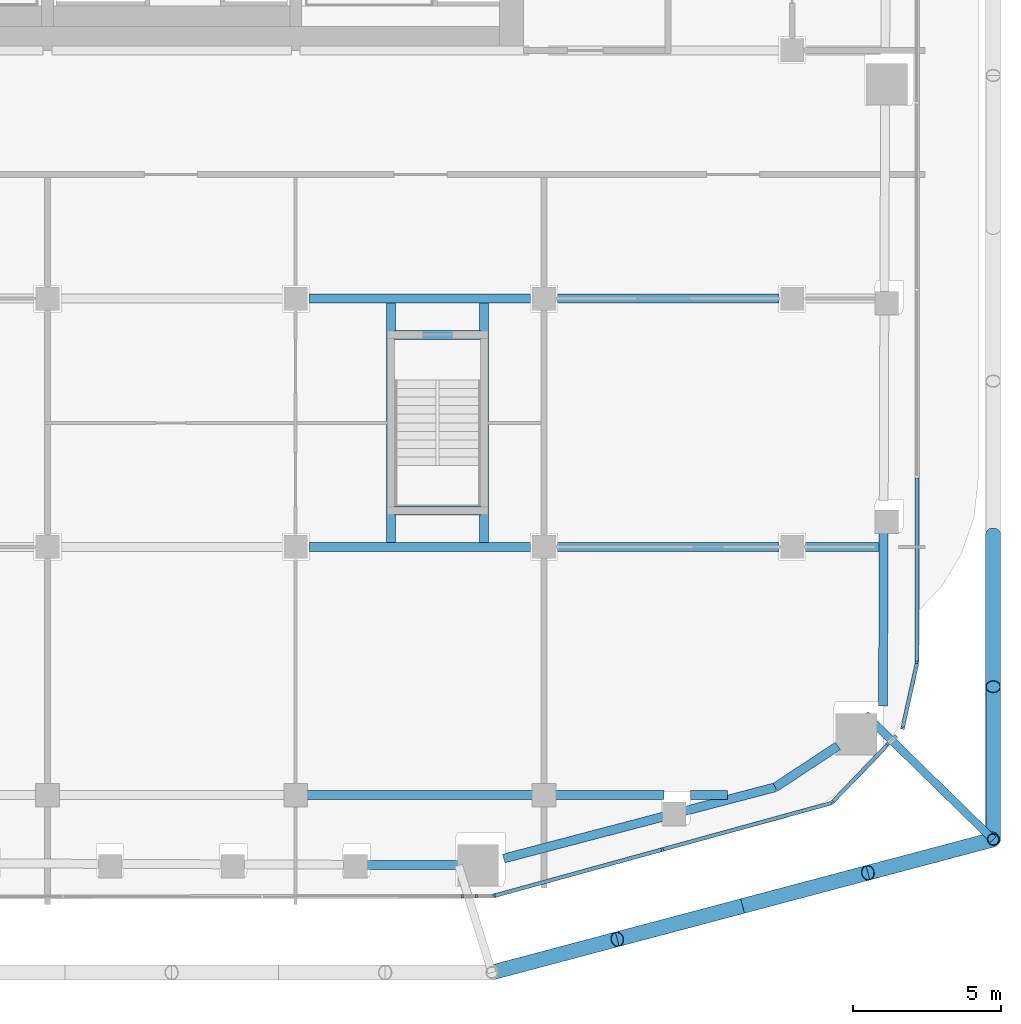
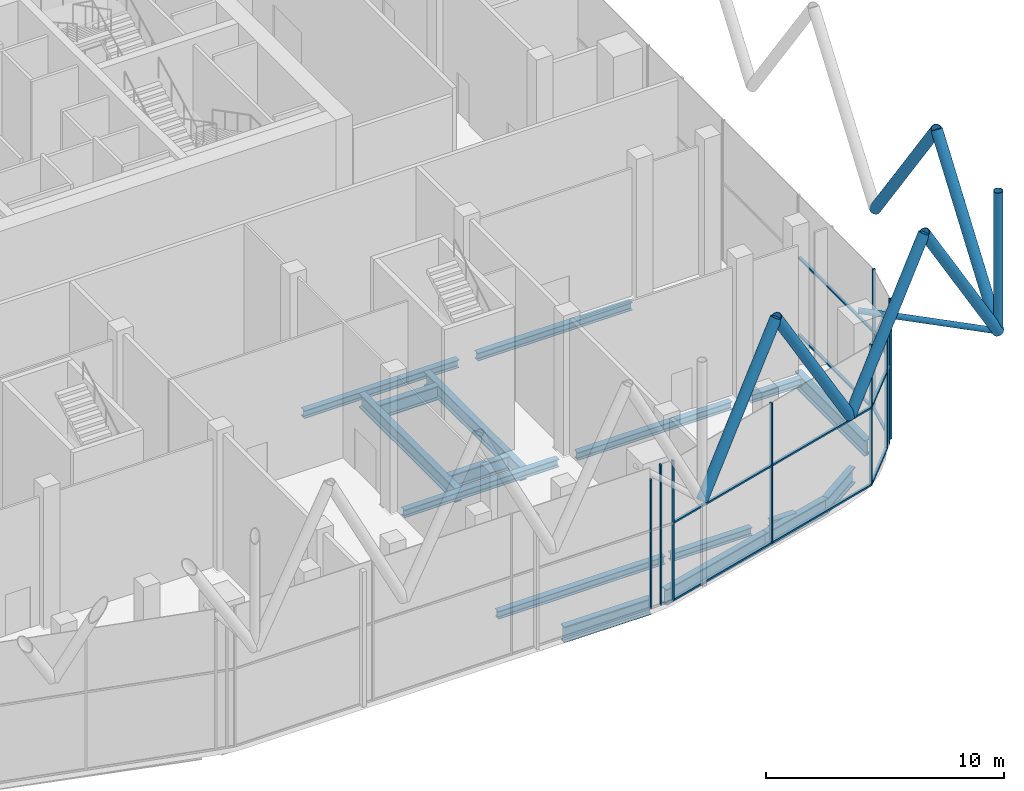
# One storey, part 6 of 25: 27 members, 17 beams, 7 elements without a shape of their own.
"""IFC4 building model written with IfcOpenShell, lengths in metres."""

from ifc_helpers import new_model, si_unit, direction, frame, origin, origin_2d, place, context, subcontext, project, spatial, rectangle, hollow_circle, i_section, extrude, material, layer, layer_set, material_profile, profile_set, type_object, element, aggregate, save


model = new_model("IFC4")

# Units and contexts
model_context = context("Model", 3, precision=1e-05, world=origin(), true_north=direction((0.0, 1.0)))
body_context = subcontext(model_context, "Body", "Model", "MODEL_VIEW")
ifc_project = project(units=[si_unit("LENGTHUNIT", "METRE"), si_unit("AREAUNIT", "SQUARE_METRE"), si_unit("VOLUMEUNIT", "CUBIC_METRE"), si_unit("PLANEANGLEUNIT", "RADIAN"), si_unit("MASSUNIT", "GRAM", prefix="KILO")], contexts=[model_context])

# Site, building, storey
site_placement = place(None, origin())
site = spatial("IfcSite", under=ifc_project, at=site_placement, CompositionType="ELEMENT")
building_placement = place(site_placement, origin())
building = spatial("IfcBuilding", under=site, at=building_placement, Name="Marenta Gate Hotel Tower", CompositionType="ELEMENT")
storey_placement = place(building_placement, frame((0.0, 0.0, 180.5)))
storey = spatial("IfcBuildingStorey", under=building, at=storey_placement, Name="L41", CompositionType="ELEMENT", Elevation=180.5)

# Members
ifc_material_1 = material(Name="Steel S355J2W", Category="steel")
ifc_material_profile_1 = material_profile(ifc_material_1, hollow_circle(Radius=0.203125, WallThickness=0.02490234375, at=origin_2d()), Name="CHS 406.4x25")
ifc_profile_set_1 = profile_set([ifc_material_profile_1], Name="Steel S355J2W")
member_type_1 = type_object("IfcMemberType", Name="Diagrid corner post Z3 CHS 406.4x25", PredefinedType="POST", material=ifc_profile_set_1)
member_1_placement = place(storey_placement, frame((27.800048828125, -26.7001953125, 6.739990234375), z_axis=(0.0, 0.0, 1.0), x_axis=(1.0, 0.0, 0.0)))
element("IfcMember", 1, at=member_1_placement, inside=storey, type_object=member_type_1, Name="L41-DR-2", PredefinedType="POST", context=body_context, shape_type="SweptSolid", body=[
    extrude(hollow_circle(Radius=0.203125, WallThickness=0.02490234375, at=origin_2d()), origin(), (0.0, 0.0, 1.0), 7.199951171875),
])
ifc_material_2 = material(Name="Steel S355J2W", Category="steel")
ifc_material_profile_2 = material_profile(ifc_material_2, hollow_circle(Radius=0.25390625, WallThickness=0.02490234375, at=origin_2d()), Name="CHS 508x25")
ifc_profile_set_2 = profile_set([ifc_material_profile_2], Name="Steel S355J2W")
member_type_2 = type_object("IfcMemberType", Name="Diagrid diagonal Z3 CHS 508x25", PredefinedType="BRACE", material=ifc_profile_set_2)
member_2_placement = place(storey_placement, frame((27.800048828125, -16.360107421875, 6.739990234375), z_axis=(0.0, -0.583260841117, 0.812284919975), x_axis=(1.0, 0.0, 0.0)))
element("IfcMember", 2, at=member_2_placement, inside=storey, type_object=member_type_2, Name="L41-DG-9", PredefinedType="BRACE", context=body_context, shape_type="SweptSolid", body=[
    extrude(hollow_circle(Radius=0.25390625, WallThickness=0.02490234375, at=origin_2d()), origin(), (0.0, 0.0, 1.0), 8.86376953125),
])
member_3_placement = place(storey_placement, frame((27.800048828125, -26.7001953125, 6.739990234375), z_axis=(0.0, 0.583279014058, 0.812271870595), x_axis=(-1.0, 0.0, 0.0)))
element("IfcMember", 3, at=member_3_placement, inside=storey, type_object=member_type_2, Name="L41-DG-10", PredefinedType="BRACE", context=body_context, shape_type="SweptSolid", body=[
    extrude(hollow_circle(Radius=0.25390625, WallThickness=0.02490234375, at=origin_2d()), origin(), (0.0, 0.0, 1.0), 8.864013671875),
])
for number, where, z_axis, x_axis, name in (
    (4, (27.800048828125, -26.7001953125, 6.739990234375), (-0.502924018666, -0.133433548941, 0.853968921838), (0.256443187528, -0.96655930577, 0.0), "L41-DG-11"),
    (5, (19.319580078125, -28.9501953125, 6.739990234375), (0.502924018666, 0.133433548941, 0.853968921838), (-0.256443187528, 0.96655930577, 0.0), "L41-DG-12"),
    (6, (19.319580078125, -28.9501953125, 6.739990234375), (-0.502925961678, -0.133405107407, 0.853972221087), (0.256391194513, -0.966573098827, 0.0), "L41-DG-13"),
    (7, (10.839111328125, -31.199951171875, 6.739990234375), (0.502924018666, 0.133433548941, 0.853968921838), (-0.256443187528, 0.96655930577, 0.0), "L41-DG-14"),
):
    element("IfcMember", number, at=place(storey_placement, frame(where, z_axis=z_axis, x_axis=x_axis)), inside=storey, type_object=member_type_2, Name=name, PredefinedType="BRACE", context=body_context, shape_type="SweptSolid", body=[
        extrude(hollow_circle(Radius=0.25390625, WallThickness=0.02490234375, at=origin_2d()), origin(), (0.0, 0.0, 1.0), 8.43115234375),
    ])

# Beams
ifc_material_3 = material(Name="Steel S355", Category="steel")
ifc_material_profile_3 = material_profile(ifc_material_3, i_section(OverallWidth=0.302978515625, OverallDepth=0.81396484375, WebThickness=0.030029296875, FlangeThickness=0.052001953125, FilletRadius=0.030029296875, at=origin_2d()), Name="HEM 800")
ifc_profile_set_3 = profile_set([ifc_material_profile_3], Name="Steel S355")
beam_type_1 = type_object("IfcBeamType", Name="Edge beam HEM 800", PredefinedType="SPANDREL", material=ifc_profile_set_3)
beam_1_placement = place(storey_placement, frame((24.09130859375, -16.31201171875, -0.6669921875), z_axis=(-0.003326938254, -0.999994465726, 0.0), x_axis=(0.999994465726, -0.003326938254, 0.0)))
element("IfcBeam", 8, at=beam_1_placement, inside=storey, type_object=beam_type_1, Name="L41-EB-26", PredefinedType="SPANDREL", context=body_context, shape_type="SweptSolid", body=[
    extrude(i_section(OverallWidth=0.302978515625, OverallDepth=0.81396484375, WebThickness=0.030029296875, FlangeThickness=0.052001953125, FilletRadius=0.030029296875, at=origin_2d()), origin(), (0.0, 0.0, 1.0), 5.87060546875),
])
beam_2_placement = place(storey_placement, frame((22.54638671875, -23.533203125, -0.6669921875), z_axis=(-0.834499674233, -0.551008433425, 0.0), x_axis=(0.551008433425, -0.834499674233, 0.0)))
element("IfcBeam", 9, at=beam_2_placement, inside=storey, type_object=beam_type_1, Name="L41-EB-27", PredefinedType="SPANDREL", context=body_context, shape_type="SweptSolid", body=[
    extrude(i_section(OverallWidth=0.302978515625, OverallDepth=0.81396484375, WebThickness=0.030029296875, FlangeThickness=0.052001953125, FilletRadius=0.030029296875, at=origin_2d()), origin(), (0.0, 0.0, 1.0), 2.537109375),
])
beam_3_placement = place(storey_placement, frame((20.42919921875, -24.93115234375, -0.6669921875), z_axis=(-0.967228035119, -0.253909291046, 0.0), x_axis=(0.253909291046, -0.967228035119, 0.0)))
element("IfcBeam", 10, at=beam_3_placement, inside=storey, type_object=beam_type_1, Name="L41-EB-28", PredefinedType="SPANDREL", context=body_context, shape_type="SweptSolid", body=[
    extrude(i_section(OverallWidth=0.302978515625, OverallDepth=0.81396484375, WebThickness=0.030029296875, FlangeThickness=0.052001953125, FilletRadius=0.030029296875, at=origin_2d()), origin(), (0.0, 0.0, 1.0), 3.580810546875),
])
beam_4_placement = place(storey_placement, frame((17.043212890625, -25.81982421875, -0.6669921875), z_axis=(-0.967223974164, -0.253924760119, 0.0), x_axis=(0.253924760119, -0.967223974164, 0.0)))
element("IfcBeam", 11, at=beam_4_placement, inside=storey, type_object=beam_type_1, Name="L41-EB-29", PredefinedType="SPANDREL", context=body_context, shape_type="SweptSolid", body=[
    extrude(i_section(OverallWidth=0.302978515625, OverallDepth=0.81396484375, WebThickness=0.030029296875, FlangeThickness=0.052001953125, FilletRadius=0.030029296875, at=origin_2d()), origin(), (0.0, 0.0, 1.0), 6.00341796875),
])
beam_5_placement = place(storey_placement, frame((10.40625, -27.57275390625, -0.6669921875), z_axis=(-0.999992731262, 0.003812797242, 0.0), x_axis=(-0.003812797242, -0.999992731262, 0.0)))
element("IfcBeam", 12, at=beam_5_placement, inside=storey, type_object=beam_type_1, Name="L41-EB-30", PredefinedType="SPANDREL", context=body_context, shape_type="SweptSolid", body=[
    extrude(i_section(OverallWidth=0.302978515625, OverallDepth=0.81396484375, WebThickness=0.030029296875, FlangeThickness=0.052001953125, FilletRadius=0.030029296875, at=origin_2d()), origin(), (0.0, 0.0, 1.0), 4.22607421875),
])

# Member
ifc_material_4 = material(Name="Steel S355J2W", Category="steel")
ifc_material_profile_4 = material_profile(ifc_material_4, hollow_circle(Radius=0.136474609375, WallThickness=0.012451171875, at=origin_2d()), Name="CHS 273x12.5")
ifc_profile_set_4 = profile_set([ifc_material_profile_4], Name="Steel S355J2W")
member_type_3 = type_object("IfcMemberType", Name="Floor tie CHS 273x12.5", PredefinedType="STRUT", material=ifc_profile_set_4)
member_4_placement = place(storey_placement, frame((27.800048828125, -26.7001953125, 6.739990234375), z_axis=(-0.715510328178, 0.698602154499, 0.0), x_axis=(-0.698602154499, -0.715510328178, 0.0)))
element("IfcMember", 13, at=member_4_placement, inside=storey, type_object=member_type_3, Name="L41-DR-8", PredefinedType="STRUT", context=body_context, shape_type="SweptSolid", body=[
    extrude(hollow_circle(Radius=0.136474609375, WallThickness=0.012451171875, at=origin_2d()), origin(), (0.0, 0.0, 1.0), 6.050048828125),
])

# Beams
ifc_material_5 = material(Name="Steel S355", Category="steel")
ifc_material_profile_5 = material_profile(ifc_material_5, i_section(OverallWidth=0.300048828125, OverallDepth=0.39990234375, WebThickness=0.013427734375, FlangeThickness=0.02392578125, FilletRadius=0.027099609375, at=origin_2d()), Name="HEB 400")
ifc_profile_set_5 = profile_set([ifc_material_profile_5], Name="Steel S355")
beam_type_2 = type_object("IfcBeamType", Name="Girder HEB 400", PredefinedType="BEAM", material=ifc_profile_set_5)
beam_6_placement = place(storey_placement, frame((4.3515625, -25.199951171875, -0.4599609375), z_axis=(1.0, 0.0, 0.0), x_axis=(0.0, 1.0, 0.0)))
element("IfcBeam", 14, at=beam_6_placement, inside=storey, type_object=beam_type_2, Name="L41-GD-5", PredefinedType="BEAM", context=body_context, shape_type="SweptSolid", body=[
    extrude(i_section(OverallWidth=0.300048828125, OverallDepth=0.39990234375, WebThickness=0.013427734375, FlangeThickness=0.02392578125, FilletRadius=0.027099609375, at=origin_2d()), origin(), (0.0, 0.0, 1.0), 8.096923828125),
])
beam_7_placement = place(storey_placement, frame((12.75146484375, -25.199951171875, -0.4599609375), z_axis=(1.0, 0.0, 0.0), x_axis=(0.0, 1.0, 0.0)))
element("IfcBeam", 15, at=beam_7_placement, inside=storey, type_object=beam_type_2, Name="L41-GD-6", PredefinedType="BEAM", context=body_context, shape_type="SweptSolid", body=[
    extrude(i_section(OverallWidth=0.300048828125, OverallDepth=0.39990234375, WebThickness=0.013427734375, FlangeThickness=0.02392578125, FilletRadius=0.027099609375, at=origin_2d()), origin(), (0.0, 0.0, 1.0), 3.914306640625),
])
beam_8_placement = place(storey_placement, frame((17.565673828125, -25.199951171875, -0.4599609375), z_axis=(1.0, 0.0, 0.0), x_axis=(0.0, 1.0, 0.0)))
element("IfcBeam", 16, at=beam_8_placement, inside=storey, type_object=beam_type_2, Name="L41-GD-7", PredefinedType="BEAM", context=body_context, shape_type="SweptSolid", body=[
    extrude(i_section(OverallWidth=0.300048828125, OverallDepth=0.39990234375, WebThickness=0.013427734375, FlangeThickness=0.02392578125, FilletRadius=0.027099609375, at=origin_2d()), origin(), (0.0, 0.0, 1.0), 1.242431640625),
])
for number, where, z_axis, x_axis, name in (
    (17, (4.64990234375, -16.800048828125, -0.4599609375), (1.0, 0.0, 0.0), (0.0, 1.0, 0.0), "L41-GD-12"),
    (18, (13.050048828125, -16.800048828125, -0.4599609375), (1.0, 0.0, 0.0), (0.0, 1.0, 0.0), "L41-GD-13"),
):
    element("IfcBeam", number, at=place(storey_placement, frame(where, z_axis=z_axis, x_axis=x_axis)), inside=storey, type_object=beam_type_2, Name=name, PredefinedType="BEAM", context=body_context, shape_type="SweptSolid", body=[
        extrude(i_section(OverallWidth=0.300048828125, OverallDepth=0.39990234375, WebThickness=0.013427734375, FlangeThickness=0.02392578125, FilletRadius=0.027099609375, at=origin_2d()), origin(), (0.0, 0.0, 1.0), 7.5),
    ])
beam_9_placement = place(storey_placement, frame((21.449951171875, -16.800048828125, -0.4599609375), z_axis=(1.0, 0.0, 0.0), x_axis=(0.0, 1.0, 0.0)))
element("IfcBeam", 19, at=beam_9_placement, inside=storey, type_object=beam_type_2, Name="L41-GD-14", PredefinedType="BEAM", context=body_context, shape_type="SweptSolid", body=[
    extrude(i_section(OverallWidth=0.300048828125, OverallDepth=0.39990234375, WebThickness=0.013427734375, FlangeThickness=0.02392578125, FilletRadius=0.027099609375, at=origin_2d()), origin(), (0.0, 0.0, 1.0), 2.48828125),
])
for number, where, z_axis, x_axis, name in (
    (20, (4.64990234375, -8.39990234375, -0.4599609375), (1.0, 0.0, 0.0), (0.0, 1.0, 0.0), "L41-GD-19"),
    (21, (13.050048828125, -8.39990234375, -0.4599609375), (1.0, 0.0, 0.0), (0.0, 1.0, 0.0), "L41-GD-20"),
):
    element("IfcBeam", number, at=place(storey_placement, frame(where, z_axis=z_axis, x_axis=x_axis)), inside=storey, type_object=beam_type_2, Name=name, PredefinedType="BEAM", context=body_context, shape_type="SweptSolid", body=[
        extrude(i_section(OverallWidth=0.300048828125, OverallDepth=0.39990234375, WebThickness=0.013427734375, FlangeThickness=0.02392578125, FilletRadius=0.027099609375, at=origin_2d()), origin(), (0.0, 0.0, 1.0), 7.5),
    ])

# Curtain wall, member
ifc_material_6 = material(Name="Tinted insulated glass in bronze anodised frame", Category="glass")
ifc_layer = layer(ifc_material_6, 0.1298828125)
ifc_layer_set = layer_set([ifc_layer], Name="Tinted insulated glass in bronze anodised frame")
curtain_wall_type = type_object("IfcCurtainWallType", Name="Sky lobby glazing CW2", PredefinedType="NOTDEFINED", material=ifc_layer_set)
curtain_wall_1_placement = place(storey_placement, origin())
curtain_wall_1 = element("IfcCurtainWall", 22, at=curtain_wall_1_placement, inside=storey, type_object=curtain_wall_type, Name="CW2 run G13", PredefinedType="NOTDEFINED")
ifc_material_7 = material(Name="Bronze anodised aluminium", Category="aluminium")
ifc_material_profile_6 = material_profile(ifc_material_7, rectangle(XDim=0.1298828125, YDim=0.080078125, at=origin_2d()), Name="Mullion CW2 80x130 bronze anodised aluminium")
ifc_profile_set_6 = profile_set([ifc_material_profile_6], Name="Bronze anodised aluminium")
member_type_4 = type_object("IfcMemberType", Name="Mullion CW2 80x130 bronze anodised aluminium", PredefinedType="MULLION", material=ifc_profile_set_6)
member_5_placement = place(storey_placement, frame((9.83642578125, -28.619140625, 0.0), z_axis=(0.0, 0.0, 1.0), x_axis=(-0.001686693784, 0.999998577531, 0.0)))
member_5 = element("IfcMember", 23, at=member_5_placement, type_object=member_type_4, Name="CW2 mullion 1", PredefinedType="MULLION", context=body_context, shape_type="SweptSolid", body=[
    extrude(rectangle(XDim=0.1298828125, YDim=0.080078125, at=origin_2d()), origin(), (0.0, 0.0, 1.0), 6.6005859375),
])
aggregate(curtain_wall_1, [member_5])

curtain_wall_2_placement = place(storey_placement, origin())
curtain_wall_2 = element("IfcCurtainWall", 24, at=curtain_wall_2_placement, inside=storey, type_object=curtain_wall_type, Name="CW2 run G14", PredefinedType="NOTDEFINED")
member_6_placement = place(storey_placement, frame((10.310791015625, -28.618408203125, 0.0), z_axis=(0.0, 0.0, 1.0), x_axis=(-0.001656449609, 0.999998628086, 0.0)))
member_6 = element("IfcMember", 25, at=member_6_placement, type_object=member_type_4, Name="CW2 mullion 1", PredefinedType="MULLION", context=body_context, shape_type="SweptSolid", body=[
    extrude(rectangle(XDim=0.1298828125, YDim=0.080078125, at=origin_2d()), origin(), (0.0, 0.0, 1.0), 7.199951171875),
])
aggregate(curtain_wall_2, [member_6])

# Curtain wall, members
curtain_wall_3_placement = place(storey_placement, origin())
curtain_wall_3 = element("IfcCurtainWall", 26, at=curtain_wall_3_placement, inside=storey, type_object=curtain_wall_type, Name="CW2 run G15", PredefinedType="NOTDEFINED")
member_7_placement = place(storey_placement, frame((10.9130859375, -28.60693359375, 0.0), z_axis=(0.0, 0.0, 1.0), x_axis=(-0.265299315098, 0.964166102603, 0.0)))
member_7 = element("IfcMember", 27, at=member_7_placement, type_object=member_type_4, Name="CW2 mullion 1", PredefinedType="MULLION", context=body_context, shape_type="SweptSolid", body=[
    extrude(rectangle(XDim=0.1298828125, YDim=0.080078125, at=origin_2d()), origin(), (0.0, 0.0, 1.0), 7.199951171875),
])
member_8_placement = place(storey_placement, frame((16.600830078125, -27.041748046875, 0.0), z_axis=(0.0, 0.0, 1.0), x_axis=(-0.265299315098, 0.964166102603, 0.0)))
member_8 = element("IfcMember", 28, at=member_8_placement, type_object=member_type_4, Name="CW2 mullion 2", PredefinedType="MULLION", context=body_context, shape_type="SweptSolid", body=[
    extrude(rectangle(XDim=0.1298828125, YDim=0.080078125, at=origin_2d()), origin(), (0.0, 0.0, 1.0), 7.199951171875),
])

# Curtain wall, member
curtain_wall_4_placement = place(storey_placement, origin())
curtain_wall_4 = element("IfcCurtainWall", 29, at=curtain_wall_4_placement, inside=storey, type_object=curtain_wall_type, Name="CW2 run G16", PredefinedType="NOTDEFINED")
member_9_placement = place(storey_placement, frame((22.355224609375, -25.437255859375, 0.0), z_axis=(0.0, 0.0, 1.0), x_axis=(-0.721349765616, 0.692570946291, 0.0)))
member_9 = element("IfcMember", 30, at=member_9_placement, type_object=member_type_4, Name="CW2 mullion 1", PredefinedType="MULLION", context=body_context, shape_type="SweptSolid", body=[
    extrude(rectangle(XDim=0.1298828125, YDim=0.080078125, at=origin_2d()), origin(), (0.0, 0.0, 1.0), 7.199951171875),
])

# Curtain wall, members
curtain_wall_5_placement = place(storey_placement, origin())
curtain_wall_5 = element("IfcCurtainWall", 31, at=curtain_wall_5_placement, inside=storey, type_object=curtain_wall_type, Name="CW2 run G17", PredefinedType="NOTDEFINED")
member_10_placement = place(storey_placement, frame((24.234619140625, -23.479736328125, 0.0), z_axis=(0.0, 0.0, 1.0), x_axis=(-0.721418199888, 0.692499661278, 0.0)))
member_10 = element("IfcMember", 32, at=member_10_placement, type_object=member_type_4, Name="CW2 mullion 1", PredefinedType="MULLION", context=body_context, shape_type="SweptSolid", body=[
    extrude(rectangle(XDim=0.1298828125, YDim=0.080078125, at=origin_2d()), origin(), (0.0, 0.0, 1.0), 6.6005859375),
])
member_11_placement = place(storey_placement, frame((24.492919921875, -23.21044921875, 0.0), z_axis=(0.0, 0.0, 1.0), x_axis=(-0.721418199888, 0.692499661278, 0.0)))
member_11 = element("IfcMember", 33, at=member_11_placement, type_object=member_type_4, Name="CW2 mullion 2", PredefinedType="MULLION", context=body_context, shape_type="SweptSolid", body=[
    extrude(rectangle(XDim=0.1298828125, YDim=0.080078125, at=origin_2d()), origin(), (0.0, 0.0, 1.0), 6.6005859375),
])
aggregate(curtain_wall_5, [member_10, member_11])

# Curtain wall, member
curtain_wall_6_placement = place(storey_placement, origin())
curtain_wall_6 = element("IfcCurtainWall", 34, at=curtain_wall_6_placement, inside=storey, type_object=curtain_wall_type, Name="CW2 run G18", PredefinedType="NOTDEFINED")
member_12_placement = place(storey_placement, frame((24.733642578125, -22.929931640625, 0.0), z_axis=(0.0, 0.0, 1.0), x_axis=(-0.976206675946, 0.216842168038, 0.0)))
member_12 = element("IfcMember", 35, at=member_12_placement, type_object=member_type_4, Name="CW2 mullion 1", PredefinedType="MULLION", context=body_context, shape_type="SweptSolid", body=[
    extrude(rectangle(XDim=0.1298828125, YDim=0.080078125, at=origin_2d()), origin(), (0.0, 0.0, 1.0), 7.199951171875),
])

curtain_wall_7_placement = place(storey_placement, origin())
curtain_wall_7 = element("IfcCurtainWall", 36, at=curtain_wall_7_placement, inside=storey, type_object=curtain_wall_type, Name="CW2 run G19", PredefinedType="NOTDEFINED")
member_13_placement = place(storey_placement, frame((25.218994140625, -20.70458984375, 0.0), z_axis=(0.0, 0.0, 1.0), x_axis=(-1.0, 0.0, 0.0)))
member_13 = element("IfcMember", 37, at=member_13_placement, type_object=member_type_4, Name="CW2 mullion 1", PredefinedType="MULLION", context=body_context, shape_type="SweptSolid", body=[
    extrude(rectangle(XDim=0.1298828125, YDim=0.080078125, at=origin_2d()), origin(), (0.0, 0.0, 1.0), 7.199951171875),
])

# Beams
ifc_material_8 = material(Name="Steel S355", Category="steel")
ifc_material_profile_7 = material_profile(ifc_material_8, i_section(OverallWidth=0.303955078125, OverallDepth=0.716064453125, WebThickness=0.027099609375, FlangeThickness=0.048095703125, FilletRadius=0.027099609375, at=origin_2d()), Name="HEM 700")
ifc_profile_set_7 = profile_set([ifc_material_profile_7], Name="Steel S355")
beam_type_3 = type_object("IfcBeamType", Name="Stair wall transfer beam HEM 700", PredefinedType="BEAM", material=ifc_profile_set_7)
for number, where, z_axis, x_axis, name in (
    (38, (7.425048828125, -16.64990234375, -0.617919921875), (0.0, 1.0, 0.0), (-1.0, 0.0, 0.0), "L41-XB-RS-Z3-2-a"),
    (39, (10.574951171875, -16.64990234375, -0.617919921875), (0.0, 1.0, 0.0), (-1.0, 0.0, 0.0), "L41-XB-RS-Z3-2-b"),
):
    element("IfcBeam", number, at=place(storey_placement, frame(where, z_axis=z_axis, x_axis=x_axis)), inside=storey, type_object=beam_type_3, Name=name, PredefinedType="BEAM", context=body_context, shape_type="SweptSolid", body=[
        extrude(i_section(OverallWidth=0.303955078125, OverallDepth=0.716064453125, WebThickness=0.027099609375, FlangeThickness=0.048095703125, FilletRadius=0.027099609375, at=origin_2d()), origin(), (0.0, 0.0, 1.0), 8.099853515625),
    ])
for number, where, z_axis, x_axis, name in (
    (40, (7.550048828125, -15.574951171875, -0.617919921875), (1.0, 0.0, 0.0), (0.0, 1.0, 0.0), "L41-XB-RS-Z3-2-c"),
    (41, (7.550048828125, -9.625, -0.617919921875), (1.0, 0.0, 0.0), (0.0, 1.0, 0.0), "L41-XB-RS-Z3-2-d"),
):
    element("IfcBeam", number, at=place(storey_placement, frame(where, z_axis=z_axis, x_axis=x_axis)), inside=storey, type_object=beam_type_3, Name=name, PredefinedType="BEAM", context=body_context, shape_type="SweptSolid", body=[
        extrude(i_section(OverallWidth=0.303955078125, OverallDepth=0.716064453125, WebThickness=0.027099609375, FlangeThickness=0.048095703125, FilletRadius=0.027099609375, at=origin_2d()), origin(), (0.0, 0.0, 1.0), 2.89990234375),
    ])

# Member
ifc_material_9 = material(Name="Bronze anodised aluminium", Category="aluminium")
ifc_material_profile_8 = material_profile(ifc_material_9, rectangle(XDim=0.1298828125, YDim=0.080078125, at=origin_2d()), Name="Transom CW2 80x130 bronze anodised aluminium")
ifc_profile_set_8 = profile_set([ifc_material_profile_8], Name="Bronze anodised aluminium")
member_type_5 = type_object("IfcMemberType", Name="Transom CW2 80x130 bronze anodised aluminium", PredefinedType="USERDEFINED", material=ifc_profile_set_8)
member_14_placement = place(storey_placement, frame((10.951416015625, -28.59619140625, 0.0400390625), z_axis=(0.96417374413, 0.265271542256, 0.0), x_axis=(-0.265271542256, 0.96417374413, 0.0)))
member_14 = element("IfcMember", 42, at=member_14_placement, type_object=member_type_5, Name="CW2 transom 1.1", ObjectType="TRANSOM", PredefinedType="USERDEFINED", context=body_context, shape_type="SweptSolid", body=[
    extrude(rectangle(XDim=0.1298828125, YDim=0.080078125, at=origin_2d()), origin(), (0.0, 0.0, 1.0), 5.8193359375),
])

member_15_placement = place(storey_placement, frame((10.951416015625, -28.59619140625, 4.0), z_axis=(0.96417374413, 0.265271542256, 0.0), x_axis=(-0.265271542256, 0.96417374413, 0.0)))
member_15 = element("IfcMember", 43, at=member_15_placement, type_object=member_type_5, Name="CW2 transom 1.2", ObjectType="TRANSOM", PredefinedType="USERDEFINED", context=body_context, shape_type="SweptSolid", body=[
    extrude(rectangle(XDim=0.1298828125, YDim=0.080078125, at=origin_2d()), origin(), (0.0, 0.0, 1.0), 5.8193359375),
])

member_16_placement = place(storey_placement, frame((16.639404296875, -27.03125, 0.0400390625), z_axis=(0.964162529462, 0.265312300471, 0.0), x_axis=(-0.265312300471, 0.964162529462, 0.0)))
member_16 = element("IfcMember", 44, at=member_16_placement, type_object=member_type_5, Name="CW2 transom 2.1", ObjectType="TRANSOM", PredefinedType="USERDEFINED", context=body_context, shape_type="SweptSolid", body=[
    extrude(rectangle(XDim=0.1298828125, YDim=0.080078125, at=origin_2d()), origin(), (0.0, 0.0, 1.0), 5.8994140625),
])

member_17_placement = place(storey_placement, frame((16.639404296875, -27.03125, 4.0), z_axis=(0.964162529462, 0.265312300471, 0.0), x_axis=(-0.265312300471, 0.964162529462, 0.0)))
member_17 = element("IfcMember", 45, at=member_17_placement, type_object=member_type_5, Name="CW2 transom 2.2", ObjectType="TRANSOM", PredefinedType="USERDEFINED", context=body_context, shape_type="SweptSolid", body=[
    extrude(rectangle(XDim=0.1298828125, YDim=0.080078125, at=origin_2d()), origin(), (0.0, 0.0, 1.0), 5.8994140625),
])

aggregate(curtain_wall_3, [member_7, member_8, member_14, member_15, member_16, member_17])

member_18_placement = place(storey_placement, frame((22.3828125, -25.408447265625, 0.0400390625), z_axis=(0.692545335243, 0.721374354017, 0.0), x_axis=(-0.721374354017, 0.692545335243, 0.0)))
member_18 = element("IfcMember", 46, at=member_18_placement, type_object=member_type_5, Name="CW2 transom 1.1", ObjectType="TRANSOM", PredefinedType="USERDEFINED", context=body_context, shape_type="SweptSolid", body=[
    extrude(rectangle(XDim=0.1298828125, YDim=0.080078125, at=origin_2d()), origin(), (0.0, 0.0, 1.0), 2.6337890625),
])

member_19_placement = place(storey_placement, frame((22.3828125, -25.408447265625, 4.0), z_axis=(0.692545335243, 0.721374354017, 0.0), x_axis=(-0.721374354017, 0.692545335243, 0.0)))
member_19 = element("IfcMember", 47, at=member_19_placement, type_object=member_type_5, Name="CW2 transom 1.2", ObjectType="TRANSOM", PredefinedType="USERDEFINED", context=body_context, shape_type="SweptSolid", body=[
    extrude(rectangle(XDim=0.1298828125, YDim=0.080078125, at=origin_2d()), origin(), (0.0, 0.0, 1.0), 2.6337890625),
])

aggregate(curtain_wall_4, [member_9, member_18, member_19])

member_20_placement = place(storey_placement, frame((24.7421875, -22.890869140625, 0.0400390625), z_axis=(0.21684816173, 0.976205344563, 0.0), x_axis=(-0.976205344563, 0.21684816173, 0.0)))
member_20 = element("IfcMember", 48, at=member_20_placement, type_object=member_type_5, Name="CW2 transom 1.1", ObjectType="TRANSOM", PredefinedType="USERDEFINED", context=body_context, shape_type="SweptSolid", body=[
    extrude(rectangle(XDim=0.1298828125, YDim=0.080078125, at=origin_2d()), origin(), (0.0, 0.0, 1.0), 2.19873046875),
])

member_21_placement = place(storey_placement, frame((24.7421875, -22.890869140625, 4.0), z_axis=(0.21684816173, 0.976205344563, 0.0), x_axis=(-0.976205344563, 0.21684816173, 0.0)))
member_21 = element("IfcMember", 49, at=member_21_placement, type_object=member_type_5, Name="CW2 transom 1.2", ObjectType="TRANSOM", PredefinedType="USERDEFINED", context=body_context, shape_type="SweptSolid", body=[
    extrude(rectangle(XDim=0.1298828125, YDim=0.080078125, at=origin_2d()), origin(), (0.0, 0.0, 1.0), 2.19873046875),
])

aggregate(curtain_wall_6, [member_12, member_20, member_21])

member_22_placement = place(storey_placement, frame((25.218994140625, -20.66455078125, 0.0400390625), z_axis=(0.0, 1.0, 0.0), x_axis=(-1.0, 0.0, 0.0)))
member_22 = element("IfcMember", 50, at=member_22_placement, type_object=member_type_5, Name="CW2 transom 1.1", ObjectType="TRANSOM", PredefinedType="USERDEFINED", context=body_context, shape_type="SweptSolid", body=[
    extrude(rectangle(XDim=0.1298828125, YDim=0.080078125, at=origin_2d()), origin(), (0.0, 0.0, 1.0), 6.202880859375),
])

member_23_placement = place(storey_placement, frame((25.218994140625, -20.66455078125, 4.0), z_axis=(0.0, 1.0, 0.0), x_axis=(-1.0, 0.0, 0.0)))
member_23 = element("IfcMember", 51, at=member_23_placement, type_object=member_type_5, Name="CW2 transom 1.2", ObjectType="TRANSOM", PredefinedType="USERDEFINED", context=body_context, shape_type="SweptSolid", body=[
    extrude(rectangle(XDim=0.1298828125, YDim=0.080078125, at=origin_2d()), origin(), (0.0, 0.0, 1.0), 6.202880859375),
])

aggregate(curtain_wall_7, [member_13, member_22, member_23])

save(model, "model.ifc")
